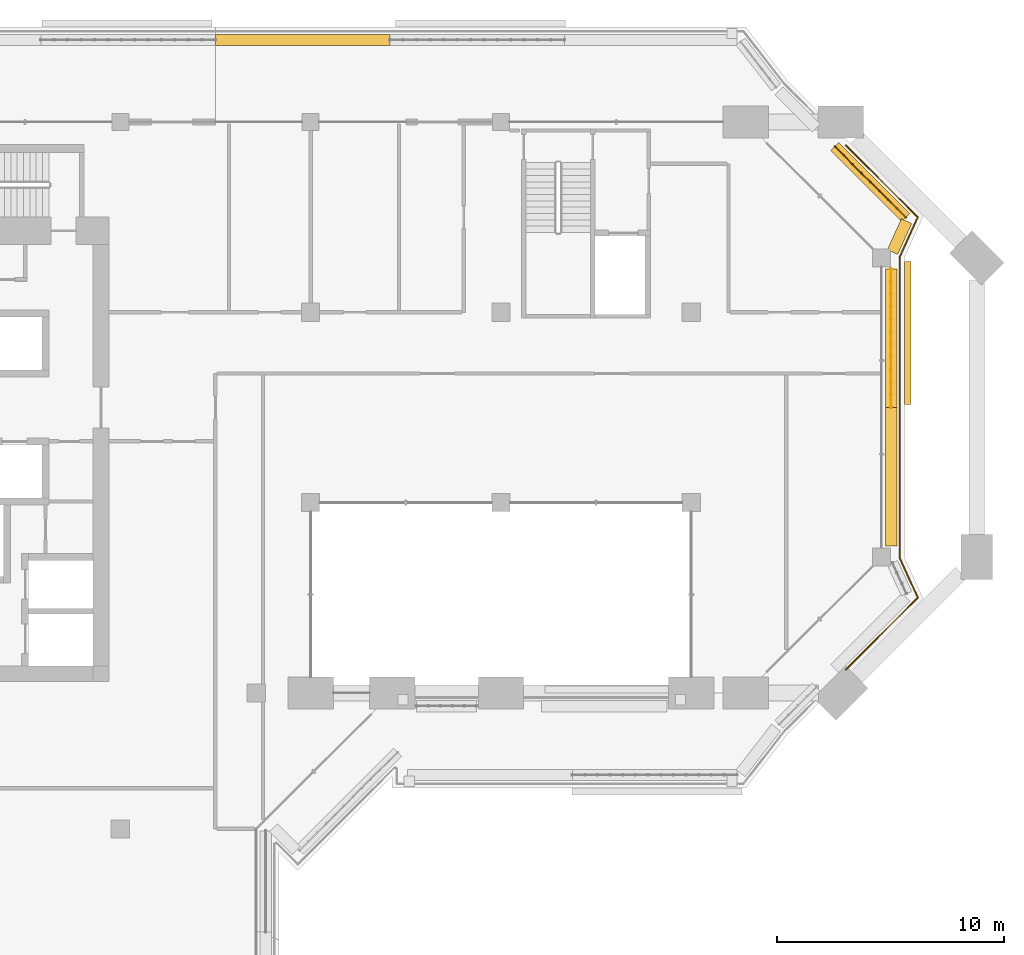
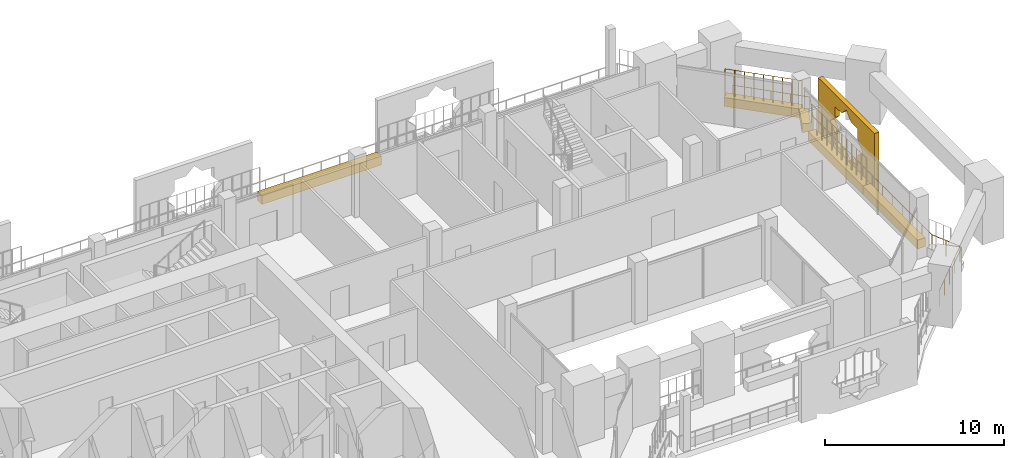
# One storey, part 22 of 23: 6 coverings, 3 railings.
"""IFC4 building model written with IfcOpenShell, lengths in metres."""

from ifc_helpers import new_model, si_unit, direction, frame, origin, origin_2d, place, context, subcontext, project, spatial, polyline, rectangle, circle, outline, extrude, material, material_profile, profile_set, type_object, element, save


model = new_model("IFC4")

# Units and contexts
model_context = context("Model", 3, precision=1e-05, world=origin(), true_north=direction((0.0, 1.0)))
body_context = subcontext(model_context, "Body", "Model", "MODEL_VIEW")
ifc_project = project(units=[si_unit("LENGTHUNIT", "METRE"), si_unit("AREAUNIT", "SQUARE_METRE"), si_unit("VOLUMEUNIT", "CUBIC_METRE"), si_unit("PLANEANGLEUNIT", "RADIAN"), si_unit("MASSUNIT", "GRAM", prefix="KILO")], contexts=[model_context])

# Site, building, storey
site_placement = place(None, origin())
site = spatial("IfcSite", under=ifc_project, at=site_placement, CompositionType="ELEMENT")
building_placement = place(site_placement, origin())
building = spatial("IfcBuilding", under=site, at=building_placement, Name="Kawkab Arch Medical Tower", CompositionType="ELEMENT")
storey_placement = place(building_placement, frame((0.0, 0.0, 281.800048828125)))
storey = spatial("IfcBuildingStorey", under=building, at=storey_placement, Name="L65", CompositionType="ELEMENT", Elevation=281.800048828125)

# Railing
ifc_material_1 = material(Name="Bronze anodised aluminium guard", Category="aluminium")
railing_type_1 = type_object("IfcRailingType", Name="Loggia and terrace guard 1100", PredefinedType="GUARDRAIL", material=ifc_material_1)
railing_1_placement = place(storey_placement, frame((57.222900390625, -1.030029296875, 0.0)))
element("IfcRailing", 1, at=railing_1_placement, inside=storey, type_object=railing_type_1, Name="Guard L65.LOG-01.2.2", PredefinedType="GUARDRAIL", context=body_context, shape_type="SweptSolid", body=[
    extrude(circle(Radius=0.02392578125, at=origin_2d()), frame((0.0, 0.0, 1.076171875), z_axis=(0.707106781187, -0.707106781187, 0.0), x_axis=(0.707106781187, 0.707106781187, 0.0)), (0.0, 0.0, 1.0), 4.490234375),
    extrude(circle(Radius=0.02392578125, at=origin_2d()), frame((3.175048828125, -3.175048828125, 1.076171875), z_axis=(-0.414452581809, -0.910070907914, 0.0), x_axis=(0.910070907914, -0.414452581809, 0.0)), (0.0, 0.0, 1.0), 1.925048828125),
    extrude(circle(Radius=0.02392578125, at=origin_2d()), frame((2.377197265625, -4.927001953125, 1.076171875), z_axis=(0.0, -1.0, 0.0), x_axis=(1.0, 0.0, 0.0)), (0.0, 0.0, 1.0), 13.285888671875),
    extrude(circle(Radius=0.02392578125, at=origin_2d()), frame((2.377197265625, -18.212890625, 1.076171875), z_axis=(0.414404752076, -0.910092688388, 0.0), x_axis=(0.910092688388, 0.414404752076, 0.0)), (0.0, 0.0, 1.0), 1.92529296875),
    extrude(circle(Radius=0.02392578125, at=origin_2d()), frame((3.175048828125, -19.965087890625, 1.076171875), z_axis=(-0.707133967668, -0.70707959366, 0.0), x_axis=(0.70707959366, -0.707133967668, 0.0)), (0.0, 0.0, 1.0), 4.489990234375),
    extrude(circle(Radius=0.02099609375, at=origin_2d()), origin(), (0.0, 0.0, 1.0), 1.052001953125),
    extrude(circle(Radius=0.02099609375, at=origin_2d()), frame((0.793701171875, -0.793701171875, 0.0)), (0.0, 0.0, 1.0), 1.052001953125),
    extrude(circle(Radius=0.02099609375, at=origin_2d()), frame((1.58740234375, -1.58740234375, 0.0)), (0.0, 0.0, 1.0), 1.052001953125),
    extrude(circle(Radius=0.02099609375, at=origin_2d()), frame((2.38134765625, -2.38134765625, 0.0)), (0.0, 0.0, 1.0), 1.052001953125),
    extrude(circle(Radius=0.02099609375, at=origin_2d()), frame((3.175048828125, -3.175048828125, 0.0)), (0.0, 0.0, 1.0), 1.052001953125),
    extrude(circle(Radius=0.02099609375, at=origin_2d()), frame((2.776123046875, -4.051025390625, 0.0)), (0.0, 0.0, 1.0), 1.052001953125),
    extrude(circle(Radius=0.02099609375, at=origin_2d()), frame((2.377197265625, -4.927001953125, 0.0)), (0.0, 0.0, 1.0), 1.052001953125),
    extrude(circle(Radius=0.02099609375, at=origin_2d()), frame((2.377197265625, -6.0341796875, 0.0)), (0.0, 0.0, 1.0), 1.052001953125),
    extrude(circle(Radius=0.02099609375, at=origin_2d()), frame((2.377197265625, -7.141357421875, 0.0)), (0.0, 0.0, 1.0), 1.052001953125),
    extrude(circle(Radius=0.02099609375, at=origin_2d()), frame((2.377197265625, -8.24853515625, 0.0)), (0.0, 0.0, 1.0), 1.052001953125),
    extrude(circle(Radius=0.02099609375, at=origin_2d()), frame((2.377197265625, -9.355712890625, 0.0)), (0.0, 0.0, 1.0), 1.052001953125),
    extrude(circle(Radius=0.02099609375, at=origin_2d()), frame((2.377197265625, -10.462890625, 0.0)), (0.0, 0.0, 1.0), 1.052001953125),
    extrude(circle(Radius=0.02099609375, at=origin_2d()), frame((2.377197265625, -11.56982421875, 0.0)), (0.0, 0.0, 1.0), 1.052001953125),
    extrude(circle(Radius=0.02099609375, at=origin_2d()), frame((2.377197265625, -12.677001953125, 0.0)), (0.0, 0.0, 1.0), 1.052001953125),
    extrude(circle(Radius=0.02099609375, at=origin_2d()), frame((2.377197265625, -13.7841796875, 0.0)), (0.0, 0.0, 1.0), 1.052001953125),
    extrude(circle(Radius=0.02099609375, at=origin_2d()), frame((2.377197265625, -14.891357421875, 0.0)), (0.0, 0.0, 1.0), 1.052001953125),
    extrude(circle(Radius=0.02099609375, at=origin_2d()), frame((2.377197265625, -15.99853515625, 0.0)), (0.0, 0.0, 1.0), 1.052001953125),
    extrude(circle(Radius=0.02099609375, at=origin_2d()), frame((2.377197265625, -17.105712890625, 0.0)), (0.0, 0.0, 1.0), 1.052001953125),
    extrude(circle(Radius=0.02099609375, at=origin_2d()), frame((2.377197265625, -18.212890625, 0.0)), (0.0, 0.0, 1.0), 1.052001953125),
    extrude(circle(Radius=0.02099609375, at=origin_2d()), frame((2.776123046875, -19.0888671875, 0.0)), (0.0, 0.0, 1.0), 1.052001953125),
    extrude(circle(Radius=0.02099609375, at=origin_2d()), frame((3.175048828125, -19.965087890625, 0.0)), (0.0, 0.0, 1.0), 1.052001953125),
    extrude(circle(Radius=0.02099609375, at=origin_2d()), frame((2.38134765625, -20.7587890625, 0.0)), (0.0, 0.0, 1.0), 1.052001953125),
    extrude(circle(Radius=0.02099609375, at=origin_2d()), frame((1.58740234375, -21.552490234375, 0.0)), (0.0, 0.0, 1.0), 1.052001953125),
    extrude(circle(Radius=0.02099609375, at=origin_2d()), frame((0.793701171875, -22.34619140625, 0.0)), (0.0, 0.0, 1.0), 1.052001953125),
    extrude(circle(Radius=0.02099609375, at=origin_2d()), frame((0.0, -23.139892578125, 0.0)), (0.0, 0.0, 1.0), 1.052001953125),
])

# Coverings
ifc_material_2 = material(Name="Bronze anodised aluminium mashrabiya panel, eight-point star pattern", Category="aluminium")
ifc_material_profile_1 = material_profile(ifc_material_2, outline(polyline([(-3.14990234375, -2.10009765625), (3.14990234375, -2.10009765625), (3.14990234375, 2.10009765625), (-3.14990234375, 2.10009765625), (-3.14990234375, -2.10009765625)]), holes=[polyline([(1.800048828125, 0.0), (1.272705078125, 0.527099609375), (1.272705078125, 1.272705078125), (0.527099609375, 1.272705078125), (0.0, 1.800048828125), (-0.527099609375, 1.272705078125), (-1.272705078125, 1.272705078125), (-1.272705078125, 0.527099609375), (-1.800048828125, 0.0), (-1.272705078125, -0.527099609375), (-1.272705078125, -1.272705078125), (-0.527099609375, -1.272705078125), (0.0, -1.800048828125), (0.527099609375, -1.272705078125), (1.272705078125, -1.272705078125), (1.272705078125, -0.527099609375), (1.800048828125, 0.0)])]), Name="Mashrabiya panel 6300x4200")
ifc_profile_set_1 = profile_set([ifc_material_profile_1], Name="Bronze anodised aluminium mashrabiya panel, eight-point star pattern")
covering_type_1 = type_object("IfcCoveringType", Name="Mashrabiya panel 6300 x 4200", PredefinedType="USERDEFINED", material=ifc_profile_set_1)
covering_1_placement = place(storey_placement, frame((59.800048828125, -9.31884765625, 1.699951171875), z_axis=(1.0, 0.0, 0.0), x_axis=(0.0, 1.0, 0.0)))
element("IfcCovering", 2, at=covering_1_placement, inside=storey, type_object=covering_type_1, Name="Mashrabiya panel L65.LOG-01-02.6", ObjectType="SCREEN", PredefinedType="USERDEFINED", context=body_context, shape_type="SweptSolid", body=[
    extrude(outline(polyline([(-3.14990234375, -2.10009765625), (3.14990234375, -2.10009765625), (3.14990234375, 2.10009765625), (-3.14990234375, 2.10009765625), (-3.14990234375, -2.10009765625)]), holes=[polyline([(1.800048828125, 0.0), (1.272705078125, 0.527099609375), (1.272705078125, 1.272705078125), (0.527099609375, 1.272705078125), (0.0, 1.800048828125), (-0.527099609375, 1.272705078125), (-1.272705078125, 1.272705078125), (-1.272705078125, 0.527099609375), (-1.800048828125, 0.0), (-1.272705078125, -0.527099609375), (-1.272705078125, -1.272705078125), (-0.527099609375, -1.272705078125), (0.0, -1.800048828125), (0.527099609375, -1.272705078125), (1.272705078125, -1.272705078125), (1.272705078125, -0.527099609375), (1.800048828125, 0.0)])]), origin(), (0.0, 0.0, 1.0), 0.300048828125),
])
ifc_material_3 = material(Name="Planting soil in a precast trough", Category="concrete")
ifc_material_profile_2 = material_profile(ifc_material_3, rectangle(XDim=0.5, YDim=0.60009765625, at=origin_2d()), Name="Trough 500x600")
ifc_profile_set_2 = profile_set([ifc_material_profile_2], Name="Planting soil in a precast trough")
covering_type_2 = type_object("IfcCoveringType", Name="Planter trough 500 x 600", PredefinedType="USERDEFINED", material=ifc_profile_set_2)
covering_2_placement = place(storey_placement, frame((29.39990234375, 3.6201171875, 0.300048828125), z_axis=(1.0, 0.0, 0.0), x_axis=(0.0, 1.0, 0.0)))
element("IfcCovering", 3, at=covering_2_placement, inside=storey, type_object=covering_type_2, Name="Planter L65.LOG-01-02.16", ObjectType="PLANTER", PredefinedType="USERDEFINED", context=body_context, shape_type="SweptSolid", body=[
    extrude(rectangle(XDim=0.5, YDim=0.60009765625, at=origin_2d()), origin(), (0.0, 0.0, 1.0), 7.705078125),
])
covering_3_placement = place(storey_placement, frame((56.736083984375, -1.080078125, 0.300048828125), z_axis=(0.707106781187, -0.707106781187, 0.0), x_axis=(0.707106781187, 0.707106781187, 0.0)))
element("IfcCovering", 4, at=covering_3_placement, inside=storey, type_object=covering_type_2, Name="Planter L65.LOG-01-02.21", ObjectType="PLANTER", PredefinedType="USERDEFINED", context=body_context, shape_type="SweptSolid", body=[
    extrude(rectangle(XDim=0.5, YDim=0.60009765625, at=origin_2d()), origin(), (0.0, 0.0, 1.0), 4.436279296875),
])
covering_4_placement = place(storey_placement, frame((59.902099609375, -4.37890625, 0.300048828125), z_axis=(-0.415189748133, -0.909734836667, 0.0), x_axis=(0.909734836667, -0.415189748133, 0.0)))
element("IfcCovering", 5, at=covering_4_placement, inside=storey, type_object=covering_type_2, Name="Planter L65.LOG-01-02.22", ObjectType="PLANTER", PredefinedType="USERDEFINED", context=body_context, shape_type="SweptSolid", body=[
    extrude(rectangle(XDim=0.5, YDim=0.60009765625, at=origin_2d()), origin(), (0.0, 0.0, 1.0), 1.498291015625),
])
covering_5_placement = place(storey_placement, frame((59.219970703125, -6.47998046875, 0.300048828125), z_axis=(0.0, -1.0, 0.0), x_axis=(1.0, 0.0, 0.0)))
element("IfcCovering", 6, at=covering_5_placement, inside=storey, type_object=covering_type_2, Name="Planter L65.LOG-01-02.23", ObjectType="PLANTER", PredefinedType="USERDEFINED", context=body_context, shape_type="SweptSolid", body=[
    extrude(rectangle(XDim=0.5, YDim=0.60009765625, at=origin_2d()), origin(), (0.0, 0.0, 1.0), 6.1201171875),
])
covering_6_placement = place(storey_placement, frame((59.219970703125, -12.60009765625, 0.300048828125), z_axis=(0.0, -1.0, 0.0), x_axis=(1.0, 0.0, 0.0)))
element("IfcCovering", 7, at=covering_6_placement, inside=storey, type_object=covering_type_2, Name="Planter L65.LOG-01-02.24", ObjectType="PLANTER", PredefinedType="USERDEFINED", context=body_context, shape_type="SweptSolid", body=[
    extrude(rectangle(XDim=0.5, YDim=0.60009765625, at=origin_2d()), origin(), (0.0, 0.0, 1.0), 6.119873046875),
])

# Railings
ifc_material_4 = material(Name="Bronze anodised aluminium trellis for climbing plants", Category="aluminium")
railing_type_2 = type_object("IfcRailingType", Name="Planting trellis 2400", PredefinedType="USERDEFINED", material=ifc_material_4)
railing_2_placement = place(storey_placement, frame((56.736083984375, -1.080078125, 0.0)))
element("IfcRailing", 8, at=railing_2_placement, inside=storey, type_object=railing_type_2, Name="Planting trellis L65.LOG-01-02.21", ObjectType="TRELLIS", PredefinedType="USERDEFINED", context=body_context, shape_type="SweptSolid", body=[
    extrude(circle(Radius=0.01513671875, at=origin_2d()), frame((0.0, 0.0, 2.384765625), z_axis=(0.707106781187, -0.707106781187, 0.0), x_axis=(0.707106781187, 0.707106781187, 0.0)), (0.0, 0.0, 1.0), 4.436279296875),
    extrude(circle(Radius=0.030029296875, at=origin_2d()), origin(), (0.0, 0.0, 1.0), 2.369873046875),
    extrude(circle(Radius=0.030029296875, at=origin_2d()), frame((0.39208984375, -0.39208984375, 0.0)), (0.0, 0.0, 1.0), 2.369873046875),
    extrude(circle(Radius=0.030029296875, at=origin_2d()), frame((0.7841796875, -0.7841796875, 0.0)), (0.0, 0.0, 1.0), 2.369873046875),
    extrude(circle(Radius=0.030029296875, at=origin_2d()), frame((1.17626953125, -1.17626953125, 0.0)), (0.0, 0.0, 1.0), 2.369873046875),
    extrude(circle(Radius=0.030029296875, at=origin_2d()), frame((1.568359375, -1.568359375, 0.0)), (0.0, 0.0, 1.0), 2.369873046875),
    extrude(circle(Radius=0.030029296875, at=origin_2d()), frame((1.960693359375, -1.960693359375, 0.0)), (0.0, 0.0, 1.0), 2.369873046875),
    extrude(circle(Radius=0.030029296875, at=origin_2d()), frame((2.352783203125, -2.352783203125, 0.0)), (0.0, 0.0, 1.0), 2.369873046875),
    extrude(circle(Radius=0.030029296875, at=origin_2d()), frame((2.744873046875, -2.744873046875, 0.0)), (0.0, 0.0, 1.0), 2.369873046875),
    extrude(circle(Radius=0.030029296875, at=origin_2d()), frame((3.136962890625, -3.136962890625, 0.0)), (0.0, 0.0, 1.0), 2.369873046875),
])
railing_3_placement = place(storey_placement, frame((59.219970703125, -6.47998046875, 0.0)))
element("IfcRailing", 9, at=railing_3_placement, inside=storey, type_object=railing_type_2, Name="Planting trellis L65.LOG-01-02.23", ObjectType="TRELLIS", PredefinedType="USERDEFINED", context=body_context, shape_type="SweptSolid", body=[
    extrude(circle(Radius=0.01513671875, at=origin_2d()), frame((0.0, 0.0, 2.384765625), z_axis=(0.0, -1.0, 0.0), x_axis=(1.0, 0.0, 0.0)), (0.0, 0.0, 1.0), 6.1201171875),
    extrude(circle(Radius=0.030029296875, at=origin_2d()), origin(), (0.0, 0.0, 1.0), 2.369873046875),
    extrude(circle(Radius=0.030029296875, at=origin_2d()), frame((0.0, -0.556396484375, 0.0)), (0.0, 0.0, 1.0), 2.369873046875),
    extrude(circle(Radius=0.030029296875, at=origin_2d()), frame((0.0, -1.11279296875, 0.0)), (0.0, 0.0, 1.0), 2.369873046875),
    extrude(circle(Radius=0.030029296875, at=origin_2d()), frame((0.0, -1.669189453125, 0.0)), (0.0, 0.0, 1.0), 2.369873046875),
    extrude(circle(Radius=0.030029296875, at=origin_2d()), frame((0.0, -2.2255859375, 0.0)), (0.0, 0.0, 1.0), 2.369873046875),
    extrude(circle(Radius=0.030029296875, at=origin_2d()), frame((0.0, -2.781982421875, 0.0)), (0.0, 0.0, 1.0), 2.369873046875),
    extrude(circle(Radius=0.030029296875, at=origin_2d()), frame((0.0, -3.338134765625, 0.0)), (0.0, 0.0, 1.0), 2.369873046875),
    extrude(circle(Radius=0.030029296875, at=origin_2d()), frame((0.0, -3.89453125, 0.0)), (0.0, 0.0, 1.0), 2.369873046875),
    extrude(circle(Radius=0.030029296875, at=origin_2d()), frame((0.0, -4.450927734375, 0.0)), (0.0, 0.0, 1.0), 2.369873046875),
    extrude(circle(Radius=0.030029296875, at=origin_2d()), frame((0.0, -5.00732421875, 0.0)), (0.0, 0.0, 1.0), 2.369873046875),
    extrude(circle(Radius=0.030029296875, at=origin_2d()), frame((0.0, -5.563720703125, 0.0)), (0.0, 0.0, 1.0), 2.369873046875),
    extrude(circle(Radius=0.030029296875, at=origin_2d()), frame((0.0, -6.1201171875, 0.0)), (0.0, 0.0, 1.0), 2.369873046875),
])

save(model, "model.ifc")
